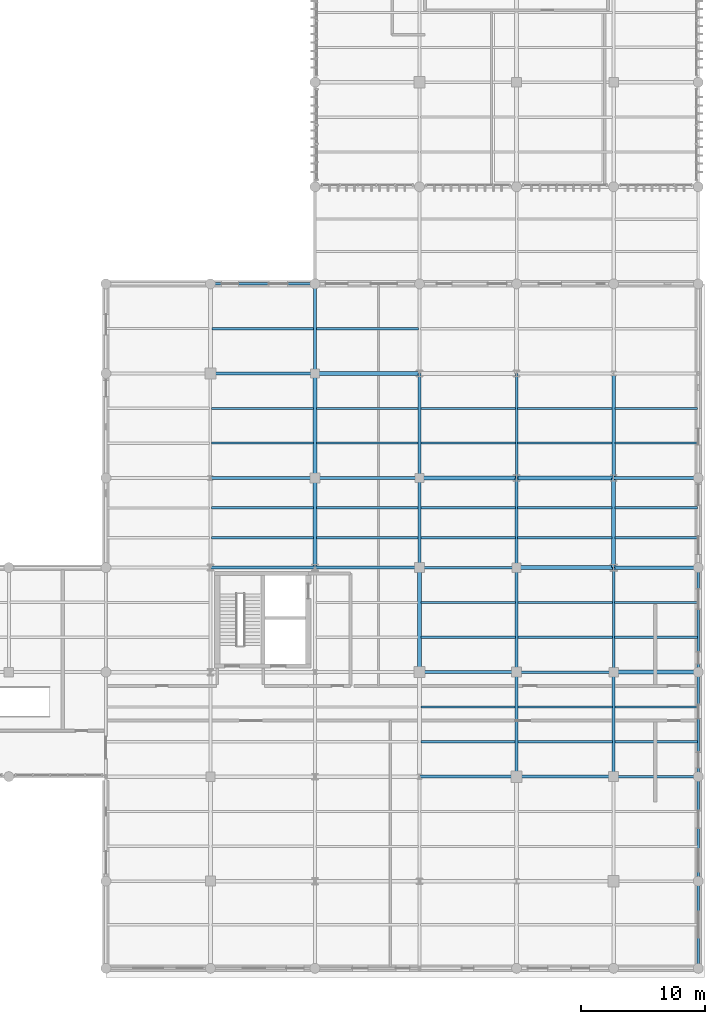
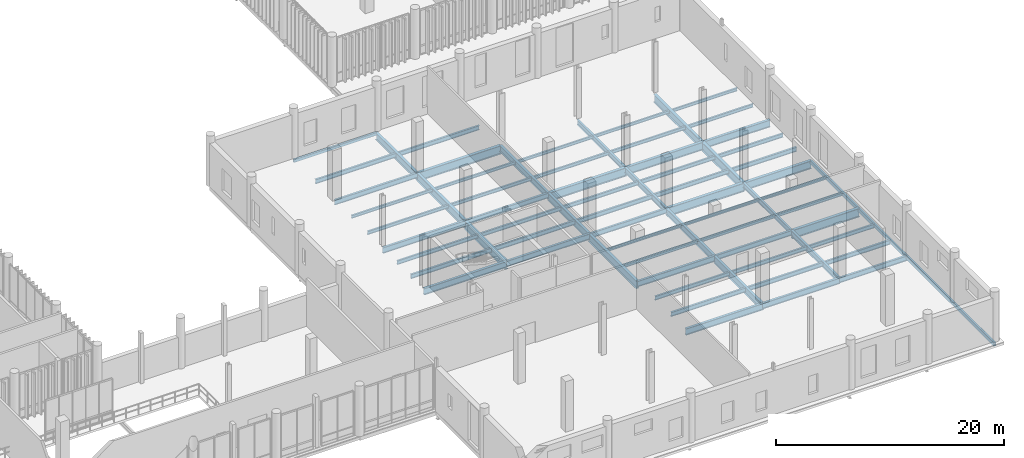
# One storey, part 70 of 128: 71 beams.
"""IFC4 building model written with IfcOpenShell, lengths in metres."""

from ifc_helpers import new_model, si_unit, direction, frame, origin_with_axes, origin_2d_with_axis, place, context, subcontext, project, spatial, hollow_rectangle, i_section, extrude, material, material_profile, profile_set, type_object, element, save


model = new_model("IFC4")

# Units and contexts
model_context = context("Model", 3, precision=1e-05, world=origin_with_axes(), true_north=direction((0.0, 1.0)))
body_context = subcontext(model_context, "Body", "Model", "MODEL_VIEW")
ifc_project = project(units=[si_unit("LENGTHUNIT", "METRE"), si_unit("AREAUNIT", "SQUARE_METRE"), si_unit("VOLUMEUNIT", "CUBIC_METRE"), si_unit("PLANEANGLEUNIT", "RADIAN"), si_unit("MASSUNIT", "GRAM", prefix="KILO"), si_unit("THERMODYNAMICTEMPERATUREUNIT", "KELVIN")], contexts=[model_context])

# Site, building, storey
site_placement = place(None, origin_with_axes())
site = spatial("IfcSite", under=ifc_project, at=site_placement, CompositionType="ELEMENT")
building_placement = place(site_placement, origin_with_axes())
building = spatial("IfcBuilding", under=site, at=building_placement, Name="Montbau Bow Law Courts", CompositionType="ELEMENT")
storey_placement = place(building_placement, frame((0.0, 0.0, 5.4), z_axis=(0.0, 0.0, 1.0), x_axis=(1.0, 0.0, 0.0)))
storey = spatial("IfcBuildingStorey", under=building, at=storey_placement, Name="L01", CompositionType="ELEMENT", Elevation=5.4)

# Beams
ifc_material_1 = material(Name="Steel CSA G40.21 Grade 350W (350 MPa)", Category="steel")
ifc_material_profile_1 = material_profile(ifc_material_1, i_section(OverallWidth=0.306, OverallDepth=0.919, WebThickness=0.0173, FlangeThickness=0.0279, at=origin_2d_with_axis()), Name="W920X253", Category="Main", Priority=0)
ifc_profile_set_1 = profile_set([ifc_material_profile_1], Name="Steel CSA G40.21 Grade 350W (350 MPa)")
beam_type_1 = type_object("IfcBeamType", Name="B-FLR-01", PredefinedType="BEAM", material=ifc_profile_set_1)
beam_1_placement = place(None, frame((162.6, 30.6, 4.691), z_axis=(1.0, 0.0, 0.0), x_axis=(0.0, 1.0, 0.0)))
element("IfcBeam", 1, at=beam_1_placement, inside=storey, type_object=beam_type_1, Name="BM-L01-S1462:bm2_1465", PredefinedType="BEAM", context=body_context, shape_type="SweptSolid", body=[
    extrude(i_section(OverallWidth=0.306, OverallDepth=0.919, WebThickness=0.0173, FlangeThickness=0.0279, at=origin_2d_with_axis()), origin_with_axes(), (0.0, 0.0, 1.0), 6.8),
])
for number, where, z_axis, x_axis, name in (
    (2, (154.8, 39.0, 4.7), (1.0, 0.0, 0.0), (0.0, 1.0, 0.0), "BM-L01-S1467:bm2_1470"),
    (3, (147.0, 46.2, 4.7), (1.0, 0.0, 0.0), (0.0, 1.0, 0.0), "BM-L01-S1472:bm2_1475"),
):
    element("IfcBeam", number, at=place(None, frame(where, z_axis=z_axis, x_axis=x_axis)), inside=storey, type_object=beam_type_1, Name=name, PredefinedType="BEAM", context=body_context, shape_type="SweptSolid", body=[
        extrude(i_section(OverallWidth=0.306, OverallDepth=0.919, WebThickness=0.0173, FlangeThickness=0.0279, at=origin_2d_with_axis()), origin_with_axes(), (0.0, 0.0, 1.0), 7.8),
    ])
beam_2_placement = place(None, frame((138.6, 54.6, 4.7), z_axis=(1.0, 0.0, 0.0), x_axis=(0.0, 1.0, 0.0)))
element("IfcBeam", 4, at=beam_2_placement, inside=storey, type_object=beam_type_1, Name="BM-L01-S1477:bm2_1480", PredefinedType="BEAM", context=body_context, shape_type="SweptSolid", body=[
    extrude(i_section(OverallWidth=0.306, OverallDepth=0.919, WebThickness=0.0173, FlangeThickness=0.0279, at=origin_2d_with_axis()), origin_with_axes(), (0.0, 0.0, 1.0), 8.4),
])
for number, where, z_axis, x_axis, name in (
    (5, (138.6, 39.0, 4.7), (0.0, 1.0, 0.0), (-1.0, 0.0, 0.0), "BM-L01-S1499:bm2_1502"),
    (6, (162.6, 39.0, 4.7), (0.0, 1.0, 0.0), (-1.0, 0.0, 0.0), "BM-L01-S1520:bm2_1523"),
):
    element("IfcBeam", number, at=place(None, frame(where, z_axis=z_axis, x_axis=x_axis)), inside=storey, type_object=beam_type_1, Name=name, PredefinedType="BEAM", context=body_context, shape_type="SweptSolid", body=[
        extrude(i_section(OverallWidth=0.306, OverallDepth=0.919, WebThickness=0.0173, FlangeThickness=0.0279, at=origin_2d_with_axis()), origin_with_axes(), (0.0, 0.0, 1.0), 7.2),
    ])
ifc_material_profile_2 = material_profile(ifc_material_1, i_section(OverallWidth=0.293, OverallDepth=0.846, WebThickness=0.0154, FlangeThickness=0.0244, at=origin_2d_with_axis()), Name="W840X210", Category="Main", Priority=0)
ifc_profile_set_2 = profile_set([ifc_material_profile_2], Name="Steel CSA G40.21 Grade 350W (350 MPa)")
beam_type_2 = type_object("IfcBeamType", Name="B-FLR-02", PredefinedType="BEAM", material=ifc_profile_set_2)
beam_3_placement = place(None, frame((162.6, 39.0, 4.727), z_axis=(1.0, 0.0, 0.0), x_axis=(0.0, 1.0, 0.0)))
element("IfcBeam", 7, at=beam_3_placement, inside=storey, type_object=beam_type_2, Name="BM-L01-S1468:bm2_1471", PredefinedType="BEAM", context=body_context, shape_type="SweptSolid", body=[
    extrude(i_section(OverallWidth=0.293, OverallDepth=0.846, WebThickness=0.0154, FlangeThickness=0.0244, at=origin_2d_with_axis()), origin_with_axes(), (0.0, 0.0, 1.0), 6.8),
])
beam_4_placement = place(None, frame((154.8, 46.2, 4.737), z_axis=(1.0, 0.0, 0.0), x_axis=(0.0, 1.0, 0.0)))
element("IfcBeam", 8, at=beam_4_placement, inside=storey, type_object=beam_type_2, Name="BM-L01-S1473:bm2_1476", PredefinedType="BEAM", context=body_context, shape_type="SweptSolid", body=[
    extrude(i_section(OverallWidth=0.293, OverallDepth=0.846, WebThickness=0.0154, FlangeThickness=0.0244, at=origin_2d_with_axis()), origin_with_axes(), (0.0, 0.0, 1.0), 7.8),
])
for number, where, z_axis, x_axis, name in (
    (9, (138.6, 46.2, 4.737), (0.0, 1.0, 0.0), (-1.0, 0.0, 0.0), "BM-L01-S1500:bm2_1503"),
    (10, (147.0, 30.6, 4.737), (0.0, 1.0, 0.0), (-1.0, 0.0, 0.0), "BM-L01-S1505:bm2_1508"),
    (11, (162.6, 46.2, 4.737), (0.0, 1.0, 0.0), (-1.0, 0.0, 0.0), "BM-L01-S1521:bm2_1524"),
):
    element("IfcBeam", number, at=place(None, frame(where, z_axis=z_axis, x_axis=x_axis)), inside=storey, type_object=beam_type_2, Name=name, PredefinedType="BEAM", context=body_context, shape_type="SweptSolid", body=[
        extrude(i_section(OverallWidth=0.293, OverallDepth=0.846, WebThickness=0.0154, FlangeThickness=0.0244, at=origin_2d_with_axis()), origin_with_axes(), (0.0, 0.0, 1.0), 8.4),
    ])
ifc_material_profile_3 = material_profile(ifc_material_1, i_section(OverallWidth=0.267, OverallDepth=0.766, WebThickness=0.0149, FlangeThickness=0.0236, at=origin_2d_with_axis()), Name="W760X185", Category="Main", Priority=0)
ifc_profile_set_3 = profile_set([ifc_material_profile_3], Name="Steel CSA G40.21 Grade 350W (350 MPa)")
beam_type_3 = type_object("IfcBeamType", Name="B-FLR-03", PredefinedType="BEAM", material=ifc_profile_set_3)
beam_5_placement = place(None, frame((162.6, 46.2, 4.767), z_axis=(1.0, 0.0, 0.0), x_axis=(0.0, 1.0, 0.0)))
element("IfcBeam", 12, at=beam_5_placement, inside=storey, type_object=beam_type_3, Name="BM-L01-S1474:bm2_1477", PredefinedType="BEAM", context=body_context, shape_type="SweptSolid", body=[
    extrude(i_section(OverallWidth=0.267, OverallDepth=0.766, WebThickness=0.0149, FlangeThickness=0.0236, at=origin_2d_with_axis()), origin_with_axes(), (0.0, 0.0, 1.0), 6.8),
])
for number, where, z_axis, x_axis, name in (
    (13, (138.6, 54.6, 4.727), (0.0, 1.0, 0.0), (-1.0, 0.0, 0.0), "BM-L01-S1501:bm2_1504"),
    (14, (147.0, 39.0, 4.777), (0.0, 1.0, 0.0), (-1.0, 0.0, 0.0), "BM-L01-S1506:bm2_1509"),
):
    element("IfcBeam", number, at=place(None, frame(where, z_axis=z_axis, x_axis=x_axis)), inside=storey, type_object=beam_type_3, Name=name, PredefinedType="BEAM", context=body_context, shape_type="SweptSolid", body=[
        extrude(i_section(OverallWidth=0.267, OverallDepth=0.766, WebThickness=0.0149, FlangeThickness=0.0236, at=origin_2d_with_axis()), origin_with_axes(), (0.0, 0.0, 1.0), 7.2),
    ])
beam_6_placement = place(None, frame((154.8, 22.2, 4.777), z_axis=(0.0, 1.0, 0.0), x_axis=(-1.0, 0.0, 0.0)))
element("IfcBeam", 15, at=beam_6_placement, inside=storey, type_object=beam_type_3, Name="BM-L01-S1511:bm2_1514", PredefinedType="BEAM", context=body_context, shape_type="SweptSolid", body=[
    extrude(i_section(OverallWidth=0.267, OverallDepth=0.766, WebThickness=0.0149, FlangeThickness=0.0236, at=origin_2d_with_axis()), origin_with_axes(), (0.0, 0.0, 1.0), 8.4),
])
ifc_material_profile_4 = material_profile(ifc_material_1, i_section(OverallWidth=0.254, OverallDepth=0.688, WebThickness=0.0131, FlangeThickness=0.0211, at=origin_2d_with_axis()), Name="W690X152", Category="Main", Priority=0)
ifc_profile_set_4 = profile_set([ifc_material_profile_4], Name="Steel CSA G40.21 Grade 350W (350 MPa)")
beam_type_4 = type_object("IfcBeamType", Name="B-FLR-04", PredefinedType="BEAM", material=ifc_profile_set_4)
beam_7_placement = place(None, frame((147.0, 22.2, 4.816), z_axis=(1.0, 0.0, 0.0), x_axis=(0.0, 1.0, 0.0)))
element("IfcBeam", 16, at=beam_7_placement, inside=storey, type_object=beam_type_4, Name="BM-L01-S1454:bm2_1457", PredefinedType="BEAM", context=body_context, shape_type="SweptSolid", body=[
    extrude(i_section(OverallWidth=0.254, OverallDepth=0.688, WebThickness=0.0131, FlangeThickness=0.0211, at=origin_2d_with_axis()), origin_with_axes(), (0.0, 0.0, 1.0), 7.8),
])
for number, where, z_axis, x_axis, name in (
    (17, (130.2, 39.0, 4.816), (1.0, 0.0, 0.0), (0.0, 1.0, 0.0), "BM-L01-S1464:bm2_1467"),
    (18, (147.0, 46.2, 4.816), (0.0, 1.0, 0.0), (-1.0, 0.0, 0.0), "BM-L01-S1507:bm2_1510"),
    (19, (154.8, 30.6, 4.816), (0.0, 1.0, 0.0), (-1.0, 0.0, 0.0), "BM-L01-S1512:bm2_1515"),
):
    element("IfcBeam", number, at=place(None, frame(where, z_axis=z_axis, x_axis=x_axis)), inside=storey, type_object=beam_type_4, Name=name, PredefinedType="BEAM", context=body_context, shape_type="SweptSolid", body=[
        extrude(i_section(OverallWidth=0.254, OverallDepth=0.688, WebThickness=0.0131, FlangeThickness=0.0211, at=origin_2d_with_axis()), origin_with_axes(), (0.0, 0.0, 1.0), 8.4),
    ])
ifc_material_profile_5 = material_profile(ifc_material_1, i_section(OverallWidth=0.229, OverallDepth=0.612, WebThickness=0.0119, FlangeThickness=0.0196, at=origin_2d_with_axis()), Name="W610X125", Category="Main", Priority=0)
ifc_profile_set_5 = profile_set([ifc_material_profile_5], Name="Steel CSA G40.21 Grade 350W (350 MPa)")
beam_type_5 = type_object("IfcBeamType", Name="B-FLR-05", PredefinedType="BEAM", material=ifc_profile_set_5)
for number, where, z_axis, x_axis, name in (
    (20, (154.8, 22.2, 4.854), (1.0, 0.0, 0.0), (0.0, 1.0, 0.0), "BM-L01-S1455:bm2_1458"),
    (21, (147.0, 30.6, 4.854), (1.0, 0.0, 0.0), (0.0, 1.0, 0.0), "BM-L01-S1460:bm2_1463"),
):
    element("IfcBeam", number, at=place(None, frame(where, z_axis=z_axis, x_axis=x_axis)), inside=storey, type_object=beam_type_5, Name=name, PredefinedType="BEAM", context=body_context, shape_type="SweptSolid", body=[
        extrude(i_section(OverallWidth=0.229, OverallDepth=0.612, WebThickness=0.0119, FlangeThickness=0.0196, at=origin_2d_with_axis()), origin_with_axes(), (0.0, 0.0, 1.0), 7.8),
    ])
for number, where, z_axis, x_axis, name in (
    (22, (138.6, 39.0, 4.854), (1.0, 0.0, 0.0), (0.0, 1.0, 0.0), "BM-L01-S1465:bm2_1468"),
    (23, (130.2, 46.2, 4.854), (1.0, 0.0, 0.0), (0.0, 1.0, 0.0), "BM-L01-S1470:bm2_1473"),
):
    element("IfcBeam", number, at=place(None, frame(where, z_axis=z_axis, x_axis=x_axis)), inside=storey, type_object=beam_type_5, Name=name, PredefinedType="BEAM", context=body_context, shape_type="SweptSolid", body=[
        extrude(i_section(OverallWidth=0.229, OverallDepth=0.612, WebThickness=0.0119, FlangeThickness=0.0196, at=origin_2d_with_axis()), origin_with_axes(), (0.0, 0.0, 1.0), 8.4),
    ])
beam_8_placement = place(None, frame((154.8, 39.0, 4.854), z_axis=(0.0, 1.0, 0.0), x_axis=(-1.0, 0.0, 0.0)))
element("IfcBeam", 24, at=beam_8_placement, inside=storey, type_object=beam_type_5, Name="BM-L01-S1513:bm2_1516", PredefinedType="BEAM", context=body_context, shape_type="SweptSolid", body=[
    extrude(i_section(OverallWidth=0.229, OverallDepth=0.612, WebThickness=0.0119, FlangeThickness=0.0196, at=origin_2d_with_axis()), origin_with_axes(), (0.0, 0.0, 1.0), 7.2),
])
beam_9_placement = place(None, frame((162.6, 22.2, 4.854), z_axis=(0.0, 1.0, 0.0), x_axis=(-1.0, 0.0, 0.0)))
element("IfcBeam", 25, at=beam_9_placement, inside=storey, type_object=beam_type_5, Name="BM-L01-S1518:bm2_1521", PredefinedType="BEAM", context=body_context, shape_type="SweptSolid", body=[
    extrude(i_section(OverallWidth=0.229, OverallDepth=0.612, WebThickness=0.0119, FlangeThickness=0.0196, at=origin_2d_with_axis()), origin_with_axes(), (0.0, 0.0, 1.0), 8.4),
])
ifc_material_profile_6 = material_profile(ifc_material_1, i_section(OverallWidth=0.21, OverallDepth=0.537, WebThickness=0.0109, FlangeThickness=0.0174, at=origin_2d_with_axis()), Name="W530X101", Category="Main", Priority=0)
ifc_profile_set_6 = profile_set([ifc_material_profile_6], Name="Steel CSA G40.21 Grade 350W (350 MPa)")
beam_type_6 = type_object("IfcBeamType", Name="B-FLR-06", PredefinedType="BEAM", material=ifc_profile_set_6)
beam_10_placement = place(None, frame((162.6, 22.2, 4.881), z_axis=(1.0, 0.0, 0.0), x_axis=(0.0, 1.0, 0.0)))
element("IfcBeam", 26, at=beam_10_placement, inside=storey, type_object=beam_type_6, Name="BM-L01-S1456:bm2_1459", PredefinedType="BEAM", context=body_context, shape_type="SweptSolid", body=[
    extrude(i_section(OverallWidth=0.21, OverallDepth=0.537, WebThickness=0.0109, FlangeThickness=0.0174, at=origin_2d_with_axis()), origin_with_axes(), (0.0, 0.0, 1.0), 6.8),
])
for number, where, z_axis, x_axis, name in (
    (27, (154.8, 30.6, 4.891), (1.0, 0.0, 0.0), (0.0, 1.0, 0.0), "BM-L01-S1461:bm2_1464"),
    (28, (147.0, 39.0, 4.891), (1.0, 0.0, 0.0), (0.0, 1.0, 0.0), "BM-L01-S1466:bm2_1469"),
):
    element("IfcBeam", number, at=place(None, frame(where, z_axis=z_axis, x_axis=x_axis)), inside=storey, type_object=beam_type_6, Name=name, PredefinedType="BEAM", context=body_context, shape_type="SweptSolid", body=[
        extrude(i_section(OverallWidth=0.21, OverallDepth=0.537, WebThickness=0.0109, FlangeThickness=0.0174, at=origin_2d_with_axis()), origin_with_axes(), (0.0, 0.0, 1.0), 7.8),
    ])
for number, where, z_axis, x_axis, name in (
    (29, (138.6, 46.2, 4.891), (1.0, 0.0, 0.0), (0.0, 1.0, 0.0), "BM-L01-S1471:bm2_1474"),
    (30, (130.2, 54.6, 4.891), (1.0, 0.0, 0.0), (0.0, 1.0, 0.0), "BM-L01-S1476:bm2_1479"),
    (31, (154.8, 46.2, 4.891), (0.0, 1.0, 0.0), (-1.0, 0.0, 0.0), "BM-L01-S1514:bm2_1517"),
    (32, (162.6, 30.6, 4.891), (0.0, 1.0, 0.0), (-1.0, 0.0, 0.0), "BM-L01-S1519:bm2_1522"),
):
    element("IfcBeam", number, at=place(None, frame(where, z_axis=z_axis, x_axis=x_axis)), inside=storey, type_object=beam_type_6, Name=name, PredefinedType="BEAM", context=body_context, shape_type="SweptSolid", body=[
        extrude(i_section(OverallWidth=0.21, OverallDepth=0.537, WebThickness=0.0109, FlangeThickness=0.0174, at=origin_2d_with_axis()), origin_with_axes(), (0.0, 0.0, 1.0), 8.4),
    ])
ifc_material_profile_7 = material_profile(ifc_material_1, i_section(OverallWidth=0.191, OverallDepth=0.46, WebThickness=0.0099, FlangeThickness=0.016, at=origin_2d_with_axis()), Name="W460X82", Category="Main", Priority=0)
ifc_profile_set_7 = profile_set([ifc_material_profile_7], Name="Steel CSA G40.21 Grade 350W (350 MPa)")
beam_type_7 = type_object("IfcBeamType", Name="B-JST-01", PredefinedType="JOIST", material=ifc_profile_set_7)
beam_11_placement = place(None, frame((130.29, 41.4, 4.93), z_axis=(1.0, 0.0, 0.0), x_axis=(0.0, 1.0, 0.0)))
element("IfcBeam", 33, at=beam_11_placement, inside=storey, type_object=beam_type_7, Name="JST-L01-S0824:jst2_0824", PredefinedType="JOIST", context=body_context, shape_type="SweptSolid", body=[
    extrude(i_section(OverallWidth=0.191, OverallDepth=0.46, WebThickness=0.0099, FlangeThickness=0.016, at=origin_2d_with_axis()), origin_with_axes(), (0.0, 0.0, 1.0), 8.181),
])
beam_12_placement = place(None, frame((130.329, 58.2, 4.88), z_axis=(1.0, 0.0, 0.0), x_axis=(0.0, 1.0, 0.0)))
element("IfcBeam", 34, at=beam_12_placement, inside=storey, type_object=beam_type_7, Name="JST-L01-S0828:jst2_0828", PredefinedType="JOIST", context=body_context, shape_type="SweptSolid", body=[
    extrude(i_section(OverallWidth=0.191, OverallDepth=0.46, WebThickness=0.0099, FlangeThickness=0.016, at=origin_2d_with_axis()), origin_with_axes(), (0.0, 0.0, 1.0), 8.161),
])
beam_13_placement = place(None, frame((138.729, 41.4, 4.93), z_axis=(1.0, 0.0, 0.0), x_axis=(0.0, 1.0, 0.0)))
element("IfcBeam", 35, at=beam_13_placement, inside=storey, type_object=beam_type_7, Name="JST-L01-S0836:jst2_0836", PredefinedType="JOIST", context=body_context, shape_type="SweptSolid", body=[
    extrude(i_section(OverallWidth=0.191, OverallDepth=0.46, WebThickness=0.0099, FlangeThickness=0.016, at=origin_2d_with_axis()), origin_with_axes(), (0.0, 0.0, 1.0), 8.162),
])
beam_14_placement = place(None, frame((138.709, 58.2, 4.88), z_axis=(1.0, 0.0, 0.0), x_axis=(0.0, 1.0, 0.0)))
element("IfcBeam", 36, at=beam_14_placement, inside=storey, type_object=beam_type_7, Name="JST-L01-S0840:jst2_0840", PredefinedType="JOIST", context=body_context, shape_type="SweptSolid", body=[
    extrude(i_section(OverallWidth=0.191, OverallDepth=0.46, WebThickness=0.0099, FlangeThickness=0.016, at=origin_2d_with_axis()), origin_with_axes(), (0.0, 0.0, 1.0), 8.201),
])
beam_15_placement = place(None, frame((147.129, 25.0, 4.93), z_axis=(1.0, 0.0, 0.0), x_axis=(0.0, 1.0, 0.0)))
element("IfcBeam", 37, at=beam_15_placement, inside=storey, type_object=beam_type_7, Name="JST-L01-S0844:jst2_0844", PredefinedType="JOIST", context=body_context, shape_type="SweptSolid", body=[
    extrude(i_section(OverallWidth=0.191, OverallDepth=0.46, WebThickness=0.0099, FlangeThickness=0.016, at=origin_2d_with_axis()), origin_with_axes(), (0.0, 0.0, 1.0), 7.562),
])
beam_16_placement = place(None, frame((147.109, 41.4, 4.93), z_axis=(1.0, 0.0, 0.0), x_axis=(0.0, 1.0, 0.0)))
element("IfcBeam", 38, at=beam_16_placement, inside=storey, type_object=beam_type_7, Name="JST-L01-S0848:jst2_0848", PredefinedType="JOIST", context=body_context, shape_type="SweptSolid", body=[
    extrude(i_section(OverallWidth=0.191, OverallDepth=0.46, WebThickness=0.0099, FlangeThickness=0.016, at=origin_2d_with_axis()), origin_with_axes(), (0.0, 0.0, 1.0), 7.601),
])
beam_17_placement = place(None, frame((154.91, 25.0, 4.93), z_axis=(1.0, 0.0, 0.0), x_axis=(0.0, 1.0, 0.0)))
element("IfcBeam", 39, at=beam_17_placement, inside=storey, type_object=beam_type_7, Name="JST-L01-S0856:jst2_0856", PredefinedType="JOIST", context=body_context, shape_type="SweptSolid", body=[
    extrude(i_section(OverallWidth=0.191, OverallDepth=0.46, WebThickness=0.0099, FlangeThickness=0.016, at=origin_2d_with_axis()), origin_with_axes(), (0.0, 0.0, 1.0), 7.6),
])
beam_18_placement = place(None, frame((154.891, 41.4, 4.93), z_axis=(1.0, 0.0, 0.0), x_axis=(0.0, 1.0, 0.0)))
element("IfcBeam", 40, at=beam_18_placement, inside=storey, type_object=beam_type_7, Name="JST-L01-S0860:jst2_0860", PredefinedType="JOIST", context=body_context, shape_type="SweptSolid", body=[
    extrude(i_section(OverallWidth=0.191, OverallDepth=0.46, WebThickness=0.0099, FlangeThickness=0.016, at=origin_2d_with_axis()), origin_with_axes(), (0.0, 0.0, 1.0), 7.58),
])
beam_19_placement = place(None, frame((162.69, 25.0, 4.92), z_axis=(1.0, 0.0, 0.0), x_axis=(0.0, 1.0, 0.0)))
element("IfcBeam", 41, at=beam_19_placement, inside=storey, type_object=beam_type_7, Name="JST-L01-S0868:jst2_0868", PredefinedType="JOIST", context=body_context, shape_type="SweptSolid", body=[
    extrude(i_section(OverallWidth=0.191, OverallDepth=0.46, WebThickness=0.0099, FlangeThickness=0.016, at=origin_2d_with_axis()), origin_with_axes(), (0.0, 0.0, 1.0), 6.63),
])
beam_20_placement = place(None, frame((162.729, 41.4, 4.92), z_axis=(1.0, 0.0, 0.0), x_axis=(0.0, 1.0, 0.0)))
element("IfcBeam", 42, at=beam_20_placement, inside=storey, type_object=beam_type_7, Name="JST-L01-S0872:jst2_0872", PredefinedType="JOIST", context=body_context, shape_type="SweptSolid", body=[
    extrude(i_section(OverallWidth=0.191, OverallDepth=0.46, WebThickness=0.0099, FlangeThickness=0.016, at=origin_2d_with_axis()), origin_with_axes(), (0.0, 0.0, 1.0), 6.591),
])
ifc_material_profile_8 = material_profile(ifc_material_1, i_section(OverallWidth=0.179, OverallDepth=0.41, WebThickness=0.0088, FlangeThickness=0.0144, at=origin_2d_with_axis()), Name="W410X67", Category="Main", Priority=0)
ifc_profile_set_8 = profile_set([ifc_material_profile_8], Name="Steel CSA G40.21 Grade 350W (350 MPa)")
beam_type_8 = type_object("IfcBeamType", Name="B-JST-02", PredefinedType="JOIST", material=ifc_profile_set_8)
beam_21_placement = place(None, frame((130.29, 43.8, 4.955), z_axis=(1.0, 0.0, 0.0), x_axis=(0.0, 1.0, 0.0)))
element("IfcBeam", 43, at=beam_21_placement, inside=storey, type_object=beam_type_8, Name="JST-L01-S0825:jst2_0825", PredefinedType="JOIST", context=body_context, shape_type="SweptSolid", body=[
    extrude(i_section(OverallWidth=0.179, OverallDepth=0.41, WebThickness=0.0088, FlangeThickness=0.0144, at=origin_2d_with_axis()), origin_with_axes(), (0.0, 0.0, 1.0), 8.181),
])
beam_22_placement = place(None, frame((138.729, 43.8, 4.955), z_axis=(1.0, 0.0, 0.0), x_axis=(0.0, 1.0, 0.0)))
element("IfcBeam", 44, at=beam_22_placement, inside=storey, type_object=beam_type_8, Name="JST-L01-S0837:jst2_0837", PredefinedType="JOIST", context=body_context, shape_type="SweptSolid", body=[
    extrude(i_section(OverallWidth=0.179, OverallDepth=0.41, WebThickness=0.0088, FlangeThickness=0.0144, at=origin_2d_with_axis()), origin_with_axes(), (0.0, 0.0, 1.0), 8.162),
])
beam_23_placement = place(None, frame((147.129, 27.8, 4.955), z_axis=(1.0, 0.0, 0.0), x_axis=(0.0, 1.0, 0.0)))
element("IfcBeam", 45, at=beam_23_placement, inside=storey, type_object=beam_type_8, Name="JST-L01-S0845:jst2_0845", PredefinedType="JOIST", context=body_context, shape_type="SweptSolid", body=[
    extrude(i_section(OverallWidth=0.179, OverallDepth=0.41, WebThickness=0.0088, FlangeThickness=0.0144, at=origin_2d_with_axis()), origin_with_axes(), (0.0, 0.0, 1.0), 7.562),
])
beam_24_placement = place(None, frame((147.109, 43.8, 4.955), z_axis=(1.0, 0.0, 0.0), x_axis=(0.0, 1.0, 0.0)))
element("IfcBeam", 46, at=beam_24_placement, inside=storey, type_object=beam_type_8, Name="JST-L01-S0849:jst2_0849", PredefinedType="JOIST", context=body_context, shape_type="SweptSolid", body=[
    extrude(i_section(OverallWidth=0.179, OverallDepth=0.41, WebThickness=0.0088, FlangeThickness=0.0144, at=origin_2d_with_axis()), origin_with_axes(), (0.0, 0.0, 1.0), 7.601),
])
beam_25_placement = place(None, frame((154.91, 27.8, 4.955), z_axis=(1.0, 0.0, 0.0), x_axis=(0.0, 1.0, 0.0)))
element("IfcBeam", 47, at=beam_25_placement, inside=storey, type_object=beam_type_8, Name="JST-L01-S0857:jst2_0857", PredefinedType="JOIST", context=body_context, shape_type="SweptSolid", body=[
    extrude(i_section(OverallWidth=0.179, OverallDepth=0.41, WebThickness=0.0088, FlangeThickness=0.0144, at=origin_2d_with_axis()), origin_with_axes(), (0.0, 0.0, 1.0), 7.6),
])
beam_26_placement = place(None, frame((154.891, 43.8, 4.955), z_axis=(1.0, 0.0, 0.0), x_axis=(0.0, 1.0, 0.0)))
element("IfcBeam", 48, at=beam_26_placement, inside=storey, type_object=beam_type_8, Name="JST-L01-S0861:jst2_0861", PredefinedType="JOIST", context=body_context, shape_type="SweptSolid", body=[
    extrude(i_section(OverallWidth=0.179, OverallDepth=0.41, WebThickness=0.0088, FlangeThickness=0.0144, at=origin_2d_with_axis()), origin_with_axes(), (0.0, 0.0, 1.0), 7.58),
])
beam_27_placement = place(None, frame((162.69, 27.8, 4.945), z_axis=(1.0, 0.0, 0.0), x_axis=(0.0, 1.0, 0.0)))
element("IfcBeam", 49, at=beam_27_placement, inside=storey, type_object=beam_type_8, Name="JST-L01-S0869:jst2_0869", PredefinedType="JOIST", context=body_context, shape_type="SweptSolid", body=[
    extrude(i_section(OverallWidth=0.179, OverallDepth=0.41, WebThickness=0.0088, FlangeThickness=0.0144, at=origin_2d_with_axis()), origin_with_axes(), (0.0, 0.0, 1.0), 6.63),
])
beam_28_placement = place(None, frame((162.729, 43.8, 4.945), z_axis=(1.0, 0.0, 0.0), x_axis=(0.0, 1.0, 0.0)))
element("IfcBeam", 50, at=beam_28_placement, inside=storey, type_object=beam_type_8, Name="JST-L01-S0873:jst2_0873", PredefinedType="JOIST", context=body_context, shape_type="SweptSolid", body=[
    extrude(i_section(OverallWidth=0.179, OverallDepth=0.41, WebThickness=0.0088, FlangeThickness=0.0144, at=origin_2d_with_axis()), origin_with_axes(), (0.0, 0.0, 1.0), 6.591),
])
ifc_material_profile_9 = material_profile(ifc_material_1, i_section(OverallWidth=0.172, OverallDepth=0.358, WebThickness=0.0079, FlangeThickness=0.0131, at=origin_2d_with_axis()), Name="W360X57", Category="Main", Priority=0)
ifc_profile_set_9 = profile_set([ifc_material_profile_9], Name="Steel CSA G40.21 Grade 350W (350 MPa)")
beam_type_9 = type_object("IfcBeamType", Name="B-JST-03", PredefinedType="JOIST", material=ifc_profile_set_9)
beam_29_placement = place(None, frame((130.281, 49.0, 4.981), z_axis=(1.0, 0.0, 0.0), x_axis=(0.0, 1.0, 0.0)))
element("IfcBeam", 51, at=beam_29_placement, inside=storey, type_object=beam_type_9, Name="JST-L01-S0826:jst2_0826", PredefinedType="JOIST", context=body_context, shape_type="SweptSolid", body=[
    extrude(i_section(OverallWidth=0.172, OverallDepth=0.358, WebThickness=0.0079, FlangeThickness=0.0131, at=origin_2d_with_axis()), origin_with_axes(), (0.0, 0.0, 1.0), 8.196),
])
beam_30_placement = place(None, frame((138.722, 49.0, 4.981), z_axis=(1.0, 0.0, 0.0), x_axis=(0.0, 1.0, 0.0)))
element("IfcBeam", 52, at=beam_30_placement, inside=storey, type_object=beam_type_9, Name="JST-L01-S0838:jst2_0838", PredefinedType="JOIST", context=body_context, shape_type="SweptSolid", body=[
    extrude(i_section(OverallWidth=0.172, OverallDepth=0.358, WebThickness=0.0079, FlangeThickness=0.0131, at=origin_2d_with_axis()), origin_with_axes(), (0.0, 0.0, 1.0), 8.175),
])
beam_31_placement = place(None, frame((147.123, 33.4, 4.981), z_axis=(1.0, 0.0, 0.0), x_axis=(0.0, 1.0, 0.0)))
element("IfcBeam", 53, at=beam_31_placement, inside=storey, type_object=beam_type_9, Name="JST-L01-S0846:jst2_0846", PredefinedType="JOIST", context=body_context, shape_type="SweptSolid", body=[
    extrude(i_section(OverallWidth=0.172, OverallDepth=0.358, WebThickness=0.0079, FlangeThickness=0.0131, at=origin_2d_with_axis()), origin_with_axes(), (0.0, 0.0, 1.0), 7.574),
])
for number, where, z_axis, x_axis, name in (
    (54, (147.103, 49.0, 4.981), (1.0, 0.0, 0.0), (0.0, 1.0, 0.0), "JST-L01-S0850:jst2_0850"),
    (55, (154.903, 33.4, 4.981), (1.0, 0.0, 0.0), (0.0, 1.0, 0.0), "JST-L01-S0858:jst2_0858"),
):
    element("IfcBeam", number, at=place(None, frame(where, z_axis=z_axis, x_axis=x_axis)), inside=storey, type_object=beam_type_9, Name=name, PredefinedType="JOIST", context=body_context, shape_type="SweptSolid", body=[
        extrude(i_section(OverallWidth=0.172, OverallDepth=0.358, WebThickness=0.0079, FlangeThickness=0.0131, at=origin_2d_with_axis()), origin_with_axes(), (0.0, 0.0, 1.0), 7.616),
    ])
beam_32_placement = place(None, frame((154.881, 49.0, 4.981), z_axis=(1.0, 0.0, 0.0), x_axis=(0.0, 1.0, 0.0)))
element("IfcBeam", 56, at=beam_32_placement, inside=storey, type_object=beam_type_9, Name="JST-L01-S0862:jst2_0862", PredefinedType="JOIST", context=body_context, shape_type="SweptSolid", body=[
    extrude(i_section(OverallWidth=0.172, OverallDepth=0.358, WebThickness=0.0079, FlangeThickness=0.0131, at=origin_2d_with_axis()), origin_with_axes(), (0.0, 0.0, 1.0), 7.596),
])
beam_33_placement = place(None, frame((162.681, 33.4, 4.971), z_axis=(1.0, 0.0, 0.0), x_axis=(0.0, 1.0, 0.0)))
element("IfcBeam", 57, at=beam_33_placement, inside=storey, type_object=beam_type_9, Name="JST-L01-S0870:jst2_0870", PredefinedType="JOIST", context=body_context, shape_type="SweptSolid", body=[
    extrude(i_section(OverallWidth=0.172, OverallDepth=0.358, WebThickness=0.0079, FlangeThickness=0.0131, at=origin_2d_with_axis()), origin_with_axes(), (0.0, 0.0, 1.0), 6.639),
])
beam_34_placement = place(None, frame((162.722, 49.0, 4.971), z_axis=(1.0, 0.0, 0.0), x_axis=(0.0, 1.0, 0.0)))
element("IfcBeam", 58, at=beam_34_placement, inside=storey, type_object=beam_type_9, Name="JST-L01-S0874:jst2_0874", PredefinedType="JOIST", context=body_context, shape_type="SweptSolid", body=[
    extrude(i_section(OverallWidth=0.172, OverallDepth=0.358, WebThickness=0.0079, FlangeThickness=0.0131, at=origin_2d_with_axis()), origin_with_axes(), (0.0, 0.0, 1.0), 6.598),
])
ifc_material_profile_10 = material_profile(ifc_material_1, i_section(OverallWidth=0.166, OverallDepth=0.313, WebThickness=0.0066, FlangeThickness=0.0112, at=origin_2d_with_axis()), Name="W310X45", Category="Main", Priority=0)
ifc_profile_set_10 = profile_set([ifc_material_profile_10], Name="Steel CSA G40.21 Grade 350W (350 MPa)")
beam_type_10 = type_object("IfcBeamType", Name="B-JST-04", PredefinedType="JOIST", material=ifc_profile_set_10)
beam_35_placement = place(None, frame((130.281, 51.8, 5.003), z_axis=(1.0, 0.0, 0.0), x_axis=(0.0, 1.0, 0.0)))
element("IfcBeam", 59, at=beam_35_placement, inside=storey, type_object=beam_type_10, Name="JST-L01-S0827:jst2_0827", PredefinedType="JOIST", context=body_context, shape_type="SweptSolid", body=[
    extrude(i_section(OverallWidth=0.166, OverallDepth=0.313, WebThickness=0.0066, FlangeThickness=0.0112, at=origin_2d_with_axis()), origin_with_axes(), (0.0, 0.0, 1.0), 8.196),
])
beam_36_placement = place(None, frame((138.722, 51.8, 5.003), z_axis=(1.0, 0.0, 0.0), x_axis=(0.0, 1.0, 0.0)))
element("IfcBeam", 60, at=beam_36_placement, inside=storey, type_object=beam_type_10, Name="JST-L01-S0839:jst2_0839", PredefinedType="JOIST", context=body_context, shape_type="SweptSolid", body=[
    extrude(i_section(OverallWidth=0.166, OverallDepth=0.313, WebThickness=0.0066, FlangeThickness=0.0112, at=origin_2d_with_axis()), origin_with_axes(), (0.0, 0.0, 1.0), 8.175),
])
beam_37_placement = place(None, frame((147.123, 36.2, 5.003), z_axis=(1.0, 0.0, 0.0), x_axis=(0.0, 1.0, 0.0)))
element("IfcBeam", 61, at=beam_37_placement, inside=storey, type_object=beam_type_10, Name="JST-L01-S0847:jst2_0847", PredefinedType="JOIST", context=body_context, shape_type="SweptSolid", body=[
    extrude(i_section(OverallWidth=0.166, OverallDepth=0.313, WebThickness=0.0066, FlangeThickness=0.0112, at=origin_2d_with_axis()), origin_with_axes(), (0.0, 0.0, 1.0), 7.574),
])
for number, where, z_axis, x_axis, name in (
    (62, (147.103, 51.8, 5.003), (1.0, 0.0, 0.0), (0.0, 1.0, 0.0), "JST-L01-S0851:jst2_0851"),
    (63, (154.903, 36.2, 5.003), (1.0, 0.0, 0.0), (0.0, 1.0, 0.0), "JST-L01-S0859:jst2_0859"),
):
    element("IfcBeam", number, at=place(None, frame(where, z_axis=z_axis, x_axis=x_axis)), inside=storey, type_object=beam_type_10, Name=name, PredefinedType="JOIST", context=body_context, shape_type="SweptSolid", body=[
        extrude(i_section(OverallWidth=0.166, OverallDepth=0.313, WebThickness=0.0066, FlangeThickness=0.0112, at=origin_2d_with_axis()), origin_with_axes(), (0.0, 0.0, 1.0), 7.616),
    ])
beam_38_placement = place(None, frame((154.881, 51.8, 5.003), z_axis=(1.0, 0.0, 0.0), x_axis=(0.0, 1.0, 0.0)))
element("IfcBeam", 64, at=beam_38_placement, inside=storey, type_object=beam_type_10, Name="JST-L01-S0863:jst2_0863", PredefinedType="JOIST", context=body_context, shape_type="SweptSolid", body=[
    extrude(i_section(OverallWidth=0.166, OverallDepth=0.313, WebThickness=0.0066, FlangeThickness=0.0112, at=origin_2d_with_axis()), origin_with_axes(), (0.0, 0.0, 1.0), 7.596),
])
beam_39_placement = place(None, frame((162.681, 36.2, 4.994), z_axis=(1.0, 0.0, 0.0), x_axis=(0.0, 1.0, 0.0)))
element("IfcBeam", 65, at=beam_39_placement, inside=storey, type_object=beam_type_10, Name="JST-L01-S0871:jst2_0871", PredefinedType="JOIST", context=body_context, shape_type="SweptSolid", body=[
    extrude(i_section(OverallWidth=0.166, OverallDepth=0.313, WebThickness=0.0066, FlangeThickness=0.0112, at=origin_2d_with_axis()), origin_with_axes(), (0.0, 0.0, 1.0), 6.639),
])
beam_40_placement = place(None, frame((162.722, 51.8, 4.994), z_axis=(1.0, 0.0, 0.0), x_axis=(0.0, 1.0, 0.0)))
element("IfcBeam", 66, at=beam_40_placement, inside=storey, type_object=beam_type_10, Name="JST-L01-S0875:jst2_0875", PredefinedType="JOIST", context=body_context, shape_type="SweptSolid", body=[
    extrude(i_section(OverallWidth=0.166, OverallDepth=0.313, WebThickness=0.0066, FlangeThickness=0.0112, at=origin_2d_with_axis()), origin_with_axes(), (0.0, 0.0, 1.0), 6.598),
])
ifc_material_2 = material(Name="Steel CSA G40.21 Grade 350WT (350 MPa)", Category="steel")
ifc_material_profile_11 = material_profile(ifc_material_2, hollow_rectangle(XDim=0.203, YDim=0.406, WallThickness=0.0127, InnerFilletRadius=0.0254, OuterFilletRadius=0.0127, at=origin_2d_with_axis()), Name="HSS406X203X13", Category="Main", Priority=0)
ifc_profile_set_11 = profile_set([ifc_material_profile_11], Name="Steel CSA G40.21 Grade 350WT (350 MPa)")
beam_type_11 = type_object("IfcBeamType", Name="B-SPN-01", PredefinedType="SPANDREL", material=ifc_profile_set_11)
beam_41_placement = place(None, frame((169.4, 6.8, 4.947), z_axis=(0.0, 1.0, 0.0), x_axis=(-1.0, 0.0, 0.0)))
element("IfcBeam", 67, at=beam_41_placement, inside=storey, type_object=beam_type_11, Name="SPN-L01-S1523:bm2_1526", PredefinedType="SPANDREL", context=body_context, shape_type="SweptSolid", body=[
    extrude(hollow_rectangle(XDim=0.203, YDim=0.406, WallThickness=0.0127, InnerFilletRadius=0.0254, OuterFilletRadius=0.0127, at=origin_2d_with_axis()), origin_with_axes(), (0.0, 0.0, 1.0), 7.0),
])
for number, where, z_axis, x_axis, name in (
    (68, (169.4, 13.8, 4.947), (0.0, 1.0, 0.0), (-1.0, 0.0, 0.0), "SPN-L01-S1524:bm2_1527"),
    (69, (169.4, 22.2, 4.947), (0.0, 1.0, 0.0), (-1.0, 0.0, 0.0), "SPN-L01-S1525:bm2_1528"),
    (70, (169.4, 30.6, 4.947), (0.0, 1.0, 0.0), (-1.0, 0.0, 0.0), "SPN-L01-S1526:bm2_1529"),
):
    element("IfcBeam", number, at=place(None, frame(where, z_axis=z_axis, x_axis=x_axis)), inside=storey, type_object=beam_type_11, Name=name, PredefinedType="SPANDREL", context=body_context, shape_type="SweptSolid", body=[
        extrude(hollow_rectangle(XDim=0.203, YDim=0.406, WallThickness=0.0127, InnerFilletRadius=0.0254, OuterFilletRadius=0.0127, at=origin_2d_with_axis()), origin_with_axes(), (0.0, 0.0, 1.0), 8.4),
    ])
ifc_material_profile_12 = material_profile(ifc_material_2, hollow_rectangle(XDim=0.203, YDim=0.305, WallThickness=0.0127, InnerFilletRadius=0.0254, OuterFilletRadius=0.0127, at=origin_2d_with_axis()), Name="HSS305X203X13", Category="Main", Priority=0)
ifc_profile_set_12 = profile_set([ifc_material_profile_12], Name="Steel CSA G40.21 Grade 350WT (350 MPa)")
beam_type_12 = type_object("IfcBeamType", Name="B-SPN-02", PredefinedType="SPANDREL", material=ifc_profile_set_12)
beam_42_placement = place(None, frame((130.2, 61.8, 4.958), z_axis=(1.0, 0.0, 0.0), x_axis=(0.0, 1.0, 0.0)))
element("IfcBeam", 71, at=beam_42_placement, inside=storey, type_object=beam_type_12, Name="SPN-L01-S1482:bm2_1485", PredefinedType="SPANDREL", context=body_context, shape_type="SweptSolid", body=[
    extrude(hollow_rectangle(XDim=0.203, YDim=0.305, WallThickness=0.0127, InnerFilletRadius=0.0254, OuterFilletRadius=0.0127, at=origin_2d_with_axis()), origin_with_axes(), (0.0, 0.0, 1.0), 8.4),
])

save(model, "model.ifc")
